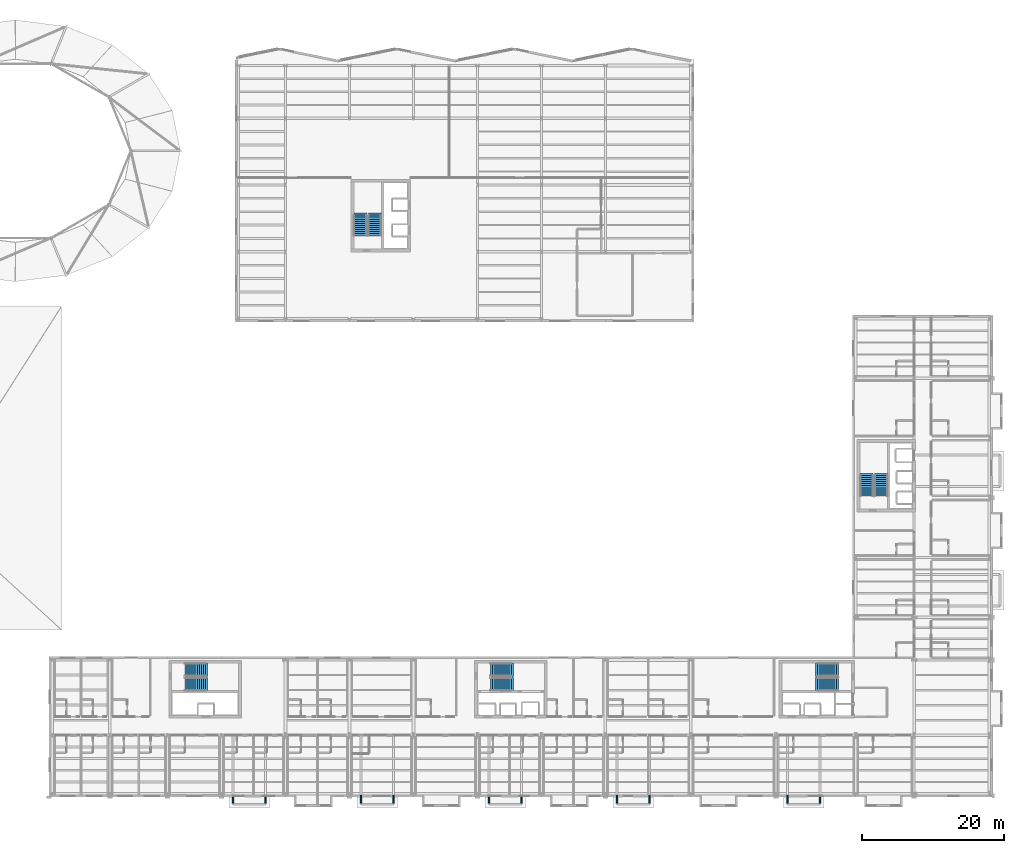
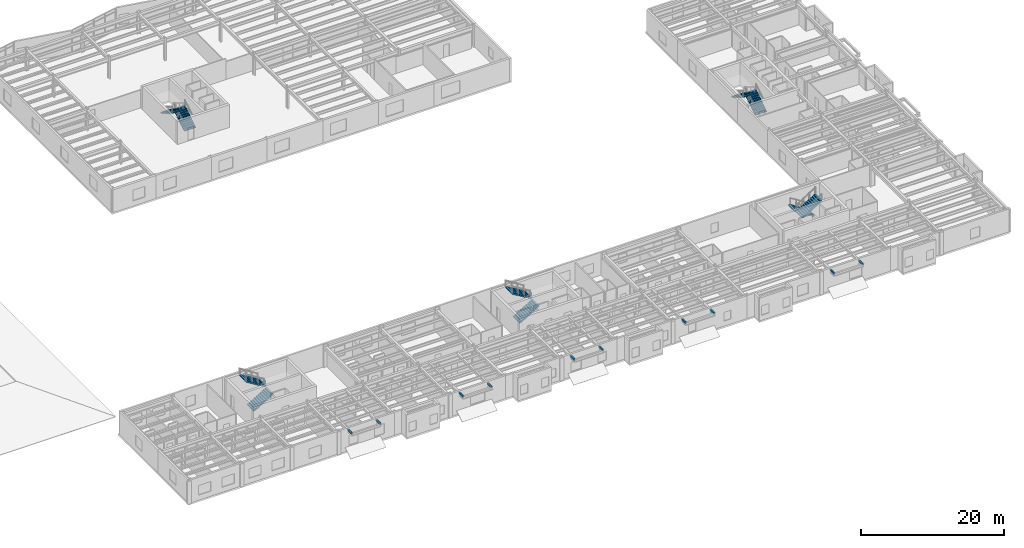
# One storey, part 40 of 46: 10 discrete accessories, 10 stair flights, 5 elements without a shape of their own.
"""IFC4 building model written with IfcOpenShell, lengths in metres."""

from ifc_helpers import new_model, si_unit, direction, frame, origin, origin_2d, place, context, subcontext, project, spatial, polyline, rectangle, outline, extrude, material, type_object, element, aggregate, save


model = new_model("IFC4")

# Units and contexts
model_context = context("Model", 3, precision=1e-05, world=origin(), true_north=direction((0.0, 1.0)))
body_context = subcontext(model_context, "Body", "Model", "MODEL_VIEW")
ifc_project = project(units=[si_unit("LENGTHUNIT", "METRE"), si_unit("AREAUNIT", "SQUARE_METRE"), si_unit("VOLUMEUNIT", "CUBIC_METRE"), si_unit("PLANEANGLEUNIT", "RADIAN"), si_unit("MASSUNIT", "GRAM", prefix="KILO")], contexts=[model_context])

# Site, building, storey
site_placement = place(None, origin())
site = spatial("IfcSite", under=ifc_project, at=site_placement, CompositionType="ELEMENT")
building_placement = place(site_placement, origin())
building = spatial("IfcBuilding", under=site, at=building_placement, Name="Sollismere Congress Hotel", CompositionType="ELEMENT")
storey_placement = place(building_placement, frame((0.0, 0.0, 19.5)))
storey = spatial("IfcBuildingStorey", under=building, at=storey_placement, Name="L04", CompositionType="ELEMENT", Elevation=19.5)

# Stair, stair flights
ifc_material_1 = material(Name="Concrete C40/50", Category="concrete")
stair_type = type_object("IfcStairType", Name="STR-DL-390", PredefinedType="HALF_TURN_STAIR", material=ifc_material_1)
stair_1_placement = place(storey_placement, origin())
stair_1 = element("IfcStair", 1, at=stair_1_placement, inside=storey, type_object=stair_type, Name="Protected exit stair ST-01-L04", PredefinedType="HALF_TURN_STAIR")
stair_flight_type = type_object("IfcStairFlightType", Name="STF-DL-390", PredefinedType="STRAIGHT", material=ifc_material_1)
stair_flight_1_placement = place(storey_placement, frame((144.75, 17.425048828125, 0.0), z_axis=(0.0, 0.0, 1.0), x_axis=(-1.0, 0.0, 0.0)))
stair_flight_1 = element("IfcStairFlight", 2, at=stair_flight_1_placement, type_object=stair_flight_type, Name="Exit stair flight ST-01-L04-F1", NumberOfRisers=11, NumberOfTreads=11, PredefinedType="STRAIGHT", RiserHeight=0.17724609375, TreadLength=0.2900390625, context=body_context, shape_type="SweptSolid", body=[
    extrude(outline(polyline([(0.0, 0.0), (0.0, 0.17724609375), (0.2900390625, 0.17724609375), (0.2900390625, 0.3544921875), (0.580078125, 0.3544921875), (0.580078125, 0.53173828125), (0.8701171875, 0.53173828125), (0.8701171875, 0.708984375), (1.16015625, 0.708984375), (1.16015625, 0.88623046875), (1.4501953125, 0.88623046875), (1.4501953125, 1.0634765625), (1.740234375, 1.0634765625), (1.740234375, 1.24072265625), (2.0302734375, 1.24072265625), (2.0302734375, 1.41796875), (2.3203125, 1.41796875), (2.3203125, 1.59521484375), (2.6103515625, 1.59521484375), (2.6103515625, 1.7724609375), (2.900390625, 1.7724609375), (2.900390625, 1.94970703125), (3.1904296875, 1.94970703125), (3.1904296875, 1.76220703125), (0.306640625, 0.0), (0.0, 0.0)])), frame((0.0, 0.925048828125, 0.0), z_axis=(0.0, -1.0, 0.0), x_axis=(1.0, 0.0, 0.0)), (0.0, 0.0, 1.0), 1.85009765625),
])
stair_flight_2_placement = place(storey_placement, frame((141.56005859375, 15.375, 1.949951171875), z_axis=(0.0, 0.0, 1.0), x_axis=(1.0, 0.0, 0.0)))
stair_flight_2 = element("IfcStairFlight", 3, at=stair_flight_2_placement, type_object=stair_flight_type, Name="Exit stair flight ST-01-L04-F2", NumberOfRisers=11, NumberOfTreads=11, PredefinedType="STRAIGHT", RiserHeight=0.17724609375, TreadLength=0.2900390625, context=body_context, shape_type="SweptSolid", body=[
    extrude(outline(polyline([(0.0, 0.0), (0.0, 0.17724609375), (0.2900390625, 0.17724609375), (0.2900390625, 0.3544921875), (0.580078125, 0.3544921875), (0.580078125, 0.53173828125), (0.8701171875, 0.53173828125), (0.8701171875, 0.708984375), (1.16015625, 0.708984375), (1.16015625, 0.88623046875), (1.4501953125, 0.88623046875), (1.4501953125, 1.0634765625), (1.740234375, 1.0634765625), (1.740234375, 1.24072265625), (2.0302734375, 1.24072265625), (2.0302734375, 1.41796875), (2.3203125, 1.41796875), (2.3203125, 1.59521484375), (2.6103515625, 1.59521484375), (2.6103515625, 1.7724609375), (2.900390625, 1.7724609375), (2.900390625, 1.94970703125), (3.1904296875, 1.94970703125), (3.1904296875, 1.76220703125), (0.306640625, 0.0), (0.0, 0.0)])), frame((0.0, 0.925048828125, 0.0), z_axis=(0.0, -1.0, 0.0), x_axis=(1.0, 0.0, 0.0)), (0.0, 0.0, 1.0), 1.85009765625),
])
aggregate(stair_1, [stair_flight_1, stair_flight_2])

stair_2_placement = place(storey_placement, origin())
stair_2 = element("IfcStair", 4, at=stair_2_placement, inside=storey, type_object=stair_type, Name="Protected exit stair ST-02-L04", PredefinedType="HALF_TURN_STAIR")
stair_flight_3_placement = place(storey_placement, frame((95.85009765625, 15.375, 0.0), z_axis=(0.0, 0.0, 1.0), x_axis=(1.0, 0.0, 0.0)))
stair_flight_3 = element("IfcStairFlight", 5, at=stair_flight_3_placement, type_object=stair_flight_type, Name="Exit stair flight ST-02-L04-F1", NumberOfRisers=11, NumberOfTreads=11, PredefinedType="STRAIGHT", RiserHeight=0.17724609375, TreadLength=0.2900390625, context=body_context, shape_type="SweptSolid", body=[
    extrude(outline(polyline([(0.0, 0.0), (0.0, 0.17724609375), (0.2900390625, 0.17724609375), (0.2900390625, 0.3544921875), (0.580078125, 0.3544921875), (0.580078125, 0.53173828125), (0.8701171875, 0.53173828125), (0.8701171875, 0.708984375), (1.16015625, 0.708984375), (1.16015625, 0.88623046875), (1.4501953125, 0.88623046875), (1.4501953125, 1.0634765625), (1.740234375, 1.0634765625), (1.740234375, 1.24072265625), (2.0302734375, 1.24072265625), (2.0302734375, 1.41796875), (2.3203125, 1.41796875), (2.3203125, 1.59521484375), (2.6103515625, 1.59521484375), (2.6103515625, 1.7724609375), (2.900390625, 1.7724609375), (2.900390625, 1.94970703125), (3.1904296875, 1.94970703125), (3.1904296875, 1.76220703125), (0.306640625, 0.0), (0.0, 0.0)])), frame((0.0, 0.925048828125, 0.0), z_axis=(0.0, -1.0, 0.0), x_axis=(1.0, 0.0, 0.0)), (0.0, 0.0, 1.0), 1.85009765625),
])
stair_flight_4_placement = place(storey_placement, frame((99.0400390625, 17.425048828125, 1.949951171875), z_axis=(0.0, 0.0, 1.0), x_axis=(-1.0, 0.0, 0.0)))
stair_flight_4 = element("IfcStairFlight", 6, at=stair_flight_4_placement, type_object=stair_flight_type, Name="Exit stair flight ST-02-L04-F2", NumberOfRisers=11, NumberOfTreads=11, PredefinedType="STRAIGHT", RiserHeight=0.17724609375, TreadLength=0.2900390625, context=body_context, shape_type="SweptSolid", body=[
    extrude(outline(polyline([(0.0, 0.0), (0.0, 0.17724609375), (0.2900390625, 0.17724609375), (0.2900390625, 0.3544921875), (0.580078125, 0.3544921875), (0.580078125, 0.53173828125), (0.8701171875, 0.53173828125), (0.8701171875, 0.708984375), (1.16015625, 0.708984375), (1.16015625, 0.88623046875), (1.4501953125, 0.88623046875), (1.4501953125, 1.0634765625), (1.740234375, 1.0634765625), (1.740234375, 1.24072265625), (2.0302734375, 1.24072265625), (2.0302734375, 1.41796875), (2.3203125, 1.41796875), (2.3203125, 1.59521484375), (2.6103515625, 1.59521484375), (2.6103515625, 1.7724609375), (2.900390625, 1.7724609375), (2.900390625, 1.94970703125), (3.1904296875, 1.94970703125), (3.1904296875, 1.76220703125), (0.306640625, 0.0), (0.0, 0.0)])), frame((0.0, 0.925048828125, 0.0), z_axis=(0.0, -1.0, 0.0), x_axis=(1.0, 0.0, 0.0)), (0.0, 0.0, 1.0), 1.85009765625),
])
aggregate(stair_2, [stair_flight_3, stair_flight_4])

stair_3_placement = place(storey_placement, origin())
stair_3 = element("IfcStair", 7, at=stair_3_placement, inside=storey, type_object=stair_type, Name="Protected exit stair ST-03-L04", PredefinedType="HALF_TURN_STAIR")
stair_flight_5_placement = place(storey_placement, frame((150.77490234375, 41.85009765625, 0.0), z_axis=(0.0, 0.0, 1.0), x_axis=(0.0, 1.0, 0.0)))
stair_flight_5 = element("IfcStairFlight", 8, at=stair_flight_5_placement, type_object=stair_flight_type, Name="Exit stair flight ST-03-L04-F1", NumberOfRisers=11, NumberOfTreads=11, PredefinedType="STRAIGHT", RiserHeight=0.17724609375, TreadLength=0.2900390625, context=body_context, shape_type="SweptSolid", body=[
    extrude(outline(polyline([(0.0, 0.0), (0.0, 0.17724609375), (0.2900390625, 0.17724609375), (0.2900390625, 0.3544921875), (0.580078125, 0.3544921875), (0.580078125, 0.53173828125), (0.8701171875, 0.53173828125), (0.8701171875, 0.708984375), (1.16015625, 0.708984375), (1.16015625, 0.88623046875), (1.4501953125, 0.88623046875), (1.4501953125, 1.0634765625), (1.740234375, 1.0634765625), (1.740234375, 1.24072265625), (2.0302734375, 1.24072265625), (2.0302734375, 1.41796875), (2.3203125, 1.41796875), (2.3203125, 1.59521484375), (2.6103515625, 1.59521484375), (2.6103515625, 1.7724609375), (2.900390625, 1.7724609375), (2.900390625, 1.94970703125), (3.1904296875, 1.94970703125), (3.1904296875, 1.76220703125), (0.306640625, 0.0), (0.0, 0.0)])), frame((0.0, 0.925048828125, 0.0), z_axis=(0.0, -1.0, 0.0), x_axis=(1.0, 0.0, 0.0)), (0.0, 0.0, 1.0), 1.85009765625),
])
stair_flight_6_placement = place(storey_placement, frame((148.72509765625, 45.0400390625, 1.949951171875), z_axis=(0.0, 0.0, 1.0), x_axis=(0.0, -1.0, 0.0)))
stair_flight_6 = element("IfcStairFlight", 9, at=stair_flight_6_placement, type_object=stair_flight_type, Name="Exit stair flight ST-03-L04-F2", NumberOfRisers=11, NumberOfTreads=11, PredefinedType="STRAIGHT", RiserHeight=0.17724609375, TreadLength=0.2900390625, context=body_context, shape_type="SweptSolid", body=[
    extrude(outline(polyline([(0.0, 0.0), (0.0, 0.17724609375), (0.2900390625, 0.17724609375), (0.2900390625, 0.3544921875), (0.580078125, 0.3544921875), (0.580078125, 0.53173828125), (0.8701171875, 0.53173828125), (0.8701171875, 0.708984375), (1.16015625, 0.708984375), (1.16015625, 0.88623046875), (1.4501953125, 0.88623046875), (1.4501953125, 1.0634765625), (1.740234375, 1.0634765625), (1.740234375, 1.24072265625), (2.0302734375, 1.24072265625), (2.0302734375, 1.41796875), (2.3203125, 1.41796875), (2.3203125, 1.59521484375), (2.6103515625, 1.59521484375), (2.6103515625, 1.7724609375), (2.900390625, 1.7724609375), (2.900390625, 1.94970703125), (3.1904296875, 1.94970703125), (3.1904296875, 1.76220703125), (0.306640625, 0.0), (0.0, 0.0)])), frame((0.0, 0.925048828125, 0.0), z_axis=(0.0, -1.0, 0.0), x_axis=(1.0, 0.0, 0.0)), (0.0, 0.0, 1.0), 1.85009765625),
])
aggregate(stair_3, [stair_flight_5, stair_flight_6])

stair_4_placement = place(storey_placement, origin())
stair_4 = element("IfcStair", 10, at=stair_4_placement, inside=storey, type_object=stair_type, Name="Protected exit stair ST-04-L04", PredefinedType="HALF_TURN_STAIR")
stair_flight_7_placement = place(storey_placement, frame((79.574951171875, 78.449951171875, 0.0), z_axis=(0.0, 0.0, 1.0), x_axis=(0.0, 1.0, 0.0)))
stair_flight_7 = element("IfcStairFlight", 11, at=stair_flight_7_placement, type_object=stair_flight_type, Name="Exit stair flight ST-04-L04-F1", NumberOfRisers=11, NumberOfTreads=11, PredefinedType="STRAIGHT", RiserHeight=0.17724609375, TreadLength=0.2900390625, context=body_context, shape_type="SweptSolid", body=[
    extrude(outline(polyline([(0.0, 0.0), (0.0, 0.17724609375), (0.2900390625, 0.17724609375), (0.2900390625, 0.3544921875), (0.580078125, 0.3544921875), (0.580078125, 0.53173828125), (0.8701171875, 0.53173828125), (0.8701171875, 0.708984375), (1.16015625, 0.708984375), (1.16015625, 0.88623046875), (1.4501953125, 0.88623046875), (1.4501953125, 1.0634765625), (1.740234375, 1.0634765625), (1.740234375, 1.24072265625), (2.0302734375, 1.24072265625), (2.0302734375, 1.41796875), (2.3203125, 1.41796875), (2.3203125, 1.59521484375), (2.6103515625, 1.59521484375), (2.6103515625, 1.7724609375), (2.900390625, 1.7724609375), (2.900390625, 1.94970703125), (3.1904296875, 1.94970703125), (3.1904296875, 1.76220703125), (0.306640625, 0.0), (0.0, 0.0)])), frame((0.0, 0.925048828125, 0.0), z_axis=(0.0, -1.0, 0.0), x_axis=(1.0, 0.0, 0.0)), (0.0, 0.0, 1.0), 1.85009765625),
])
stair_flight_8_placement = place(storey_placement, frame((77.52490234375, 81.639892578125, 1.949951171875), z_axis=(0.0, 0.0, 1.0), x_axis=(0.0, -1.0, 0.0)))
stair_flight_8 = element("IfcStairFlight", 12, at=stair_flight_8_placement, type_object=stair_flight_type, Name="Exit stair flight ST-04-L04-F2", NumberOfRisers=11, NumberOfTreads=11, PredefinedType="STRAIGHT", RiserHeight=0.17724609375, TreadLength=0.2900390625, context=body_context, shape_type="SweptSolid", body=[
    extrude(outline(polyline([(0.0, 0.0), (0.0, 0.17724609375), (0.2900390625, 0.17724609375), (0.2900390625, 0.3544921875), (0.580078125, 0.3544921875), (0.580078125, 0.53173828125), (0.8701171875, 0.53173828125), (0.8701171875, 0.708984375), (1.16015625, 0.708984375), (1.16015625, 0.88623046875), (1.4501953125, 0.88623046875), (1.4501953125, 1.0634765625), (1.740234375, 1.0634765625), (1.740234375, 1.24072265625), (2.0302734375, 1.24072265625), (2.0302734375, 1.41796875), (2.3203125, 1.41796875), (2.3203125, 1.59521484375), (2.6103515625, 1.59521484375), (2.6103515625, 1.7724609375), (2.900390625, 1.7724609375), (2.900390625, 1.94970703125), (3.1904296875, 1.94970703125), (3.1904296875, 1.76220703125), (0.306640625, 0.0), (0.0, 0.0)])), frame((0.0, 0.925048828125, 0.0), z_axis=(0.0, -1.0, 0.0), x_axis=(1.0, 0.0, 0.0)), (0.0, 0.0, 1.0), 1.85009765625),
])
aggregate(stair_4, [stair_flight_7, stair_flight_8])

stair_5_placement = place(storey_placement, origin())
stair_5 = element("IfcStair", 13, at=stair_5_placement, inside=storey, type_object=stair_type, Name="Protected exit stair ST-06-L04", PredefinedType="HALF_TURN_STAIR")
stair_flight_9_placement = place(storey_placement, frame((52.85009765625, 15.375, 0.0), z_axis=(0.0, 0.0, 1.0), x_axis=(1.0, 0.0, 0.0)))
stair_flight_9 = element("IfcStairFlight", 14, at=stair_flight_9_placement, type_object=stair_flight_type, Name="Exit stair flight ST-06-L04-F1", NumberOfRisers=11, NumberOfTreads=11, PredefinedType="STRAIGHT", RiserHeight=0.17724609375, TreadLength=0.2900390625, context=body_context, shape_type="SweptSolid", body=[
    extrude(outline(polyline([(0.0, 0.0), (0.0, 0.17724609375), (0.2900390625, 0.17724609375), (0.2900390625, 0.3544921875), (0.580078125, 0.3544921875), (0.580078125, 0.53173828125), (0.8701171875, 0.53173828125), (0.8701171875, 0.708984375), (1.16015625, 0.708984375), (1.16015625, 0.88623046875), (1.4501953125, 0.88623046875), (1.4501953125, 1.0634765625), (1.740234375, 1.0634765625), (1.740234375, 1.24072265625), (2.0302734375, 1.24072265625), (2.0302734375, 1.41796875), (2.3203125, 1.41796875), (2.3203125, 1.59521484375), (2.6103515625, 1.59521484375), (2.6103515625, 1.7724609375), (2.900390625, 1.7724609375), (2.900390625, 1.94970703125), (3.1904296875, 1.94970703125), (3.1904296875, 1.76220703125), (0.306640625, 0.0), (0.0, 0.0)])), frame((0.0, 0.925048828125, 0.0), z_axis=(0.0, -1.0, 0.0), x_axis=(1.0, 0.0, 0.0)), (0.0, 0.0, 1.0), 1.85009765625),
])
stair_flight_10_placement = place(storey_placement, frame((56.0400390625, 17.425048828125, 1.949951171875), z_axis=(0.0, 0.0, 1.0), x_axis=(-1.0, 0.0, 0.0)))
stair_flight_10 = element("IfcStairFlight", 15, at=stair_flight_10_placement, type_object=stair_flight_type, Name="Exit stair flight ST-06-L04-F2", NumberOfRisers=11, NumberOfTreads=11, PredefinedType="STRAIGHT", RiserHeight=0.17724609375, TreadLength=0.2900390625, context=body_context, shape_type="SweptSolid", body=[
    extrude(outline(polyline([(0.0, 0.0), (0.0, 0.17724609375), (0.2900390625, 0.17724609375), (0.2900390625, 0.3544921875), (0.580078125, 0.3544921875), (0.580078125, 0.53173828125), (0.8701171875, 0.53173828125), (0.8701171875, 0.708984375), (1.16015625, 0.708984375), (1.16015625, 0.88623046875), (1.4501953125, 0.88623046875), (1.4501953125, 1.0634765625), (1.740234375, 1.0634765625), (1.740234375, 1.24072265625), (2.0302734375, 1.24072265625), (2.0302734375, 1.41796875), (2.3203125, 1.41796875), (2.3203125, 1.59521484375), (2.6103515625, 1.59521484375), (2.6103515625, 1.7724609375), (2.900390625, 1.7724609375), (2.900390625, 1.94970703125), (3.1904296875, 1.94970703125), (3.1904296875, 1.76220703125), (0.306640625, 0.0), (0.0, 0.0)])), frame((0.0, 0.925048828125, 0.0), z_axis=(0.0, -1.0, 0.0), x_axis=(1.0, 0.0, 0.0)), (0.0, 0.0, 1.0), 1.85009765625),
])
aggregate(stair_5, [stair_flight_9, stair_flight_10])

# Discrete accessories
ifc_material_2 = material(Name="Steel ASTM A572 Grade 50", Category="steel")
discrete_accessory_type = type_object("IfcDiscreteAccessoryType", Name="BRK-STL", PredefinedType="BRACKET", material=ifc_material_2)
for number, where, z_axis, x_axis, name in (
    (16, (59.60009765625, -0.800048828125, 3.35986328125), (0.0, 0.0, 1.0), (1.0, 0.0, 0.0), "BRK-CK-021"),
    (17, (64.199951171875, -0.800048828125, 3.35986328125), (0.0, 0.0, 1.0), (1.0, 0.0, 0.0), "BRK-CK-022"),
    (18, (77.60009765625, -0.800048828125, 3.35986328125), (0.0, 0.0, 1.0), (1.0, 0.0, 0.0), "BRK-CK-023"),
    (19, (82.199951171875, -0.800048828125, 3.35986328125), (0.0, 0.0, 1.0), (1.0, 0.0, 0.0), "BRK-CK-024"),
    (20, (95.60009765625, -0.800048828125, 3.35986328125), (0.0, 0.0, 1.0), (1.0, 0.0, 0.0), "BRK-CK-025"),
    (21, (100.199951171875, -0.800048828125, 3.35986328125), (0.0, 0.0, 1.0), (1.0, 0.0, 0.0), "BRK-CK-026"),
    (22, (113.60009765625, -0.800048828125, 3.35986328125), (0.0, 0.0, 1.0), (1.0, 0.0, 0.0), "BRK-CK-027"),
    (23, (118.199951171875, -0.800048828125, 3.35986328125), (0.0, 0.0, 1.0), (1.0, 0.0, 0.0), "BRK-CK-028"),
    (24, (137.60009765625, -0.800048828125, 3.35986328125), (0.0, 0.0, 1.0), (1.0, 0.0, 0.0), "BRK-CK-029"),
    (25, (142.199951171875, -0.800048828125, 3.35986328125), (0.0, 0.0, 1.0), (1.0, 0.0, 0.0), "BRK-CK-030"),
):
    element("IfcDiscreteAccessory", number, at=place(storey_placement, frame(where, z_axis=z_axis, x_axis=x_axis)), inside=storey, type_object=discrete_accessory_type, Name=name, PredefinedType="BRACKET", context=body_context, shape_type="SweptSolid", body=[
        extrude(rectangle(XDim=0.219970703125, YDim=1.14990234375, at=origin_2d()), origin(), (0.0, 0.0, 1.0), 0.260009765625),
    ])

save(model, "model.ifc")
